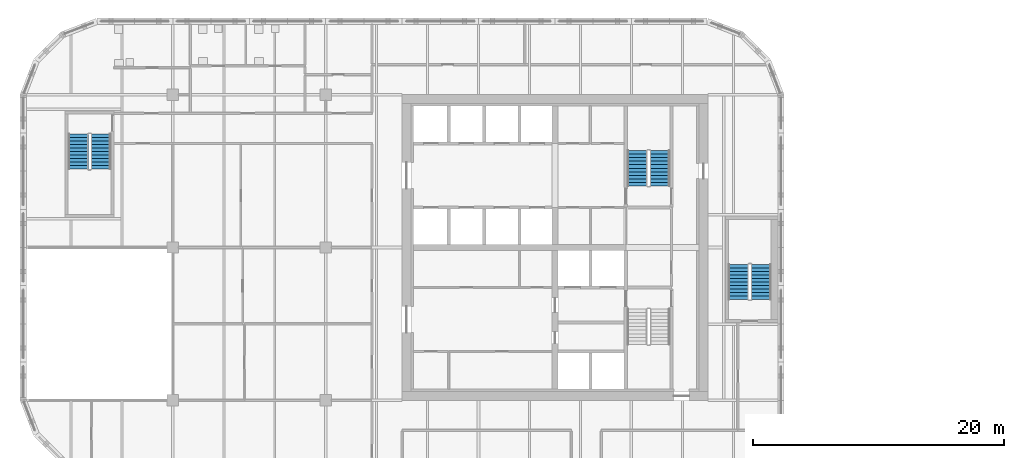
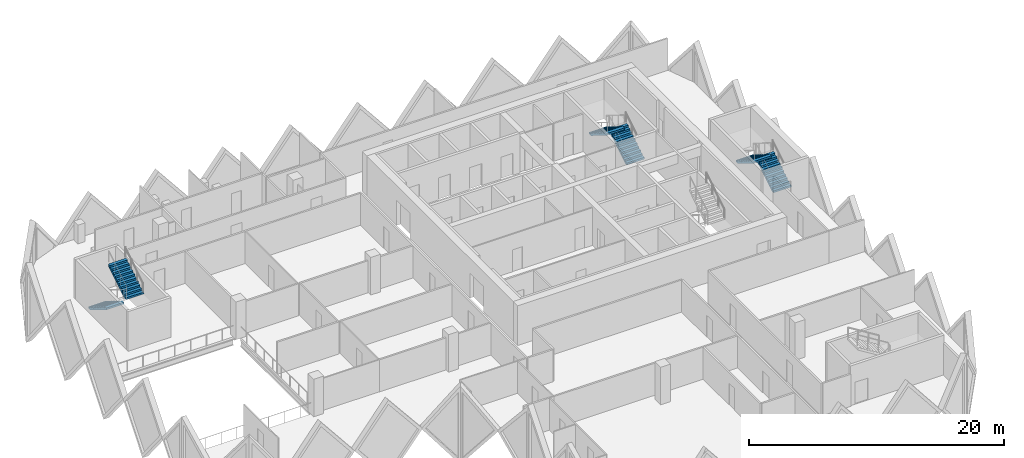
# One storey, part 11 of 13: 6 stair flights, 3 elements without a shape of their own.
"""IFC4 building model written with IfcOpenShell, lengths in metres."""

from ifc_helpers import new_model, si_unit, direction, frame, origin, place, context, subcontext, project, spatial, polyline, outline, extrude, material, type_object, element, aggregate, save


model = new_model("IFC4")

# Units and contexts
model_context = context("Model", 3, precision=1e-05, world=origin(), true_north=direction((0.0, 1.0)))
body_context = subcontext(model_context, "Body", "Model", "MODEL_VIEW")
ifc_project = project(units=[si_unit("LENGTHUNIT", "METRE"), si_unit("AREAUNIT", "SQUARE_METRE"), si_unit("VOLUMEUNIT", "CUBIC_METRE"), si_unit("PLANEANGLEUNIT", "RADIAN"), si_unit("MASSUNIT", "GRAM", prefix="KILO")], contexts=[model_context])

# Site, building, storey
site_placement = place(None, origin())
site = spatial("IfcSite", under=ifc_project, at=site_placement, CompositionType="ELEMENT")
building_placement = place(site_placement, origin())
building = spatial("IfcBuilding", under=site, at=building_placement, Name="Tessera Gate Towers", CompositionType="ELEMENT")
storey_placement = place(building_placement, frame((0.0, 0.0, 116.39990234375)))
storey = spatial("IfcBuildingStorey", under=building, at=storey_placement, Name="L28", CompositionType="ELEMENT", Elevation=116.39990234375)

# Stair, stair flights
ifc_material_1 = material(Name="Concrete C40/50", Category="concrete")
stair_type_1 = type_object("IfcStairType", Name="EXIT STAIR ST2 1600", PredefinedType="HALF_TURN_STAIR", material=ifc_material_1)
stair_1_placement = place(storey_placement, origin())
stair_1 = element("IfcStair", 1, at=stair_1_placement, inside=storey, type_object=stair_type_1, Name="L28 Protected Exit Stair ST2", PredefinedType="HALF_TURN_STAIR")
ifc_material_2 = material(Name="Concrete C40/50", Category="concrete")
stair_flight_type_1 = type_object("IfcStairFlightType", Name="EXIT STAIR FLIGHT ST2 1600", PredefinedType="STRAIGHT", material=ifc_material_2)
stair_flight_1_placement = place(storey_placement, frame((51.074951171875, 41.52490234375, 0.0), z_axis=(0.0, 0.0, 1.0), x_axis=(0.0, 1.0, 0.0)))
stair_flight_1 = element("IfcStairFlight", 2, at=stair_flight_1_placement, type_object=stair_flight_type_1, Name="ST2 flight 1", NumberOfRisers=11, NumberOfTreads=10, PredefinedType="STRAIGHT", RiserHeight=0.172727273, TreadLength=0.28, context=body_context, shape_type="SweptSolid", body=[
    extrude(outline(polyline([(0.0, 0.0), (0.0, 0.172607421875), (0.280029296875, 0.172607421875), (0.280029296875, 0.345458984375), (0.56005859375, 0.345458984375), (0.56005859375, 0.51806640625), (0.840087890625, 0.51806640625), (0.840087890625, 0.69091796875), (1.1201171875, 0.69091796875), (1.1201171875, 0.863525390625), (1.39990234375, 0.863525390625), (1.39990234375, 1.036376953125), (1.679931640625, 1.036376953125), (1.679931640625, 1.208984375), (1.9599609375, 1.208984375), (1.9599609375, 1.3818359375), (2.239990234375, 1.3818359375), (2.239990234375, 1.554443359375), (2.52001953125, 1.554443359375), (2.52001953125, 1.727294921875), (2.800048828125, 1.727294921875), (2.800048828125, 1.89990234375), (2.800048828125, 1.551025390625), (0.285400390625, 0.0), (0.0, 0.0)])), frame((0.0, 0.800048828125, 0.0), z_axis=(0.0, -1.0, 0.0), x_axis=(1.0, 0.0, 0.0)), (0.0, 0.0, 1.0), 1.60009765625),
])
stair_flight_2_placement = place(storey_placement, frame((49.27490234375, 44.324951171875, 1.900146484375), z_axis=(0.0, 0.0, 1.0), x_axis=(0.0, -1.0, 0.0)))
stair_flight_2 = element("IfcStairFlight", 3, at=stair_flight_2_placement, type_object=stair_flight_type_1, Name="ST2 flight 2", NumberOfRisers=11, NumberOfTreads=10, PredefinedType="STRAIGHT", RiserHeight=0.172727273, TreadLength=0.28, context=body_context, shape_type="SweptSolid", body=[
    extrude(outline(polyline([(0.0, 0.0), (0.0, 0.172607421875), (0.280029296875, 0.172607421875), (0.280029296875, 0.345458984375), (0.56005859375, 0.345458984375), (0.56005859375, 0.51806640625), (0.840087890625, 0.51806640625), (0.840087890625, 0.69091796875), (1.1201171875, 0.69091796875), (1.1201171875, 0.863525390625), (1.39990234375, 0.863525390625), (1.39990234375, 1.036376953125), (1.679931640625, 1.036376953125), (1.679931640625, 1.208984375), (1.9599609375, 1.208984375), (1.9599609375, 1.3818359375), (2.239990234375, 1.3818359375), (2.239990234375, 1.554443359375), (2.52001953125, 1.554443359375), (2.52001953125, 1.727294921875), (2.800048828125, 1.727294921875), (2.800048828125, 1.89990234375), (2.800048828125, 1.551025390625), (0.285400390625, 0.0), (0.0, 0.0)])), frame((0.0, 0.800048828125, 0.0), z_axis=(0.0, -1.0, 0.0), x_axis=(1.0, 0.0, 0.0)), (0.0, 0.0, 1.0), 1.60009765625),
])
aggregate(stair_1, [stair_flight_1, stair_flight_2])

ifc_material_3 = material(Name="Concrete C40/50", Category="concrete")
stair_type_2 = type_object("IfcStairType", Name="EXIT STAIR ST3 1600", PredefinedType="HALF_TURN_STAIR", material=ifc_material_3)
stair_2_placement = place(storey_placement, origin())
stair_2 = element("IfcStair", 4, at=stair_2_placement, inside=storey, type_object=stair_type_2, Name="L28 West Exit Stair ST3", PredefinedType="HALF_TURN_STAIR")
ifc_material_4 = material(Name="Concrete C40/50", Category="concrete")
stair_flight_type_2 = type_object("IfcStairFlightType", Name="EXIT STAIR FLIGHT ST3 1600", PredefinedType="STRAIGHT", material=ifc_material_4)
stair_flight_3_placement = place(storey_placement, frame((4.64990234375, 45.64990234375, 0.0), z_axis=(0.0, 0.0, 1.0), x_axis=(0.0, -1.0, 0.0)))
stair_flight_3 = element("IfcStairFlight", 5, at=stair_flight_3_placement, type_object=stair_flight_type_2, Name="ST3 flight 1", NumberOfRisers=11, NumberOfTreads=10, PredefinedType="STRAIGHT", RiserHeight=0.172727273, TreadLength=0.28, context=body_context, shape_type="SweptSolid", body=[
    extrude(outline(polyline([(0.0, 0.0), (0.0, 0.172607421875), (0.280029296875, 0.172607421875), (0.280029296875, 0.345458984375), (0.56005859375, 0.345458984375), (0.56005859375, 0.51806640625), (0.840087890625, 0.51806640625), (0.840087890625, 0.69091796875), (1.1201171875, 0.69091796875), (1.1201171875, 0.863525390625), (1.39990234375, 0.863525390625), (1.39990234375, 1.036376953125), (1.679931640625, 1.036376953125), (1.679931640625, 1.208984375), (1.9599609375, 1.208984375), (1.9599609375, 1.3818359375), (2.239990234375, 1.3818359375), (2.239990234375, 1.554443359375), (2.52001953125, 1.554443359375), (2.52001953125, 1.727294921875), (2.800048828125, 1.727294921875), (2.800048828125, 1.89990234375), (2.800048828125, 1.551025390625), (0.285400390625, 0.0), (0.0, 0.0)])), frame((0.0, 0.800048828125, 0.0), z_axis=(0.0, -1.0, 0.0), x_axis=(1.0, 0.0, 0.0)), (0.0, 0.0, 1.0), 1.60009765625),
])
stair_flight_4_placement = place(storey_placement, frame((6.449951171875, 42.85009765625, 1.900146484375), z_axis=(0.0, 0.0, 1.0), x_axis=(0.0, 1.0, 0.0)))
stair_flight_4 = element("IfcStairFlight", 6, at=stair_flight_4_placement, type_object=stair_flight_type_2, Name="ST3 flight 2", NumberOfRisers=11, NumberOfTreads=10, PredefinedType="STRAIGHT", RiserHeight=0.172727273, TreadLength=0.28, context=body_context, shape_type="SweptSolid", body=[
    extrude(outline(polyline([(0.0, 0.0), (0.0, 0.172607421875), (0.280029296875, 0.172607421875), (0.280029296875, 0.345458984375), (0.56005859375, 0.345458984375), (0.56005859375, 0.51806640625), (0.840087890625, 0.51806640625), (0.840087890625, 0.69091796875), (1.1201171875, 0.69091796875), (1.1201171875, 0.863525390625), (1.39990234375, 0.863525390625), (1.39990234375, 1.036376953125), (1.679931640625, 1.036376953125), (1.679931640625, 1.208984375), (1.9599609375, 1.208984375), (1.9599609375, 1.3818359375), (2.239990234375, 1.3818359375), (2.239990234375, 1.554443359375), (2.52001953125, 1.554443359375), (2.52001953125, 1.727294921875), (2.800048828125, 1.727294921875), (2.800048828125, 1.89990234375), (2.800048828125, 1.551025390625), (0.285400390625, 0.0), (0.0, 0.0)])), frame((0.0, 0.800048828125, 0.0), z_axis=(0.0, -1.0, 0.0), x_axis=(1.0, 0.0, 0.0)), (0.0, 0.0, 1.0), 1.60009765625),
])
aggregate(stair_2, [stair_flight_3, stair_flight_4])

ifc_material_5 = material(Name="Concrete C40/50", Category="concrete")
stair_type_3 = type_object("IfcStairType", Name="EXIT STAIR ST5 1600", PredefinedType="HALF_TURN_STAIR", material=ifc_material_5)
stair_3_placement = place(storey_placement, origin())
stair_3 = element("IfcStair", 7, at=stair_3_placement, inside=storey, type_object=stair_type_3, Name="L28 East Exit Stair ST5", PredefinedType="HALF_TURN_STAIR")
ifc_material_6 = material(Name="Concrete C40/50", Category="concrete")
stair_flight_type_3 = type_object("IfcStairFlightType", Name="EXIT STAIR FLIGHT ST5 1600", PredefinedType="STRAIGHT", material=ifc_material_6)
stair_flight_5_placement = place(storey_placement, frame((59.14990234375, 32.449951171875, 0.0), z_axis=(0.0, 0.0, 1.0), x_axis=(0.0, 1.0, 0.0)))
stair_flight_5 = element("IfcStairFlight", 8, at=stair_flight_5_placement, type_object=stair_flight_type_3, Name="ST5 flight 1", NumberOfRisers=11, NumberOfTreads=10, PredefinedType="STRAIGHT", RiserHeight=0.172727273, TreadLength=0.28, context=body_context, shape_type="SweptSolid", body=[
    extrude(outline(polyline([(0.0, 0.0), (0.0, 0.172607421875), (0.280029296875, 0.172607421875), (0.280029296875, 0.345458984375), (0.56005859375, 0.345458984375), (0.56005859375, 0.51806640625), (0.840087890625, 0.51806640625), (0.840087890625, 0.69091796875), (1.1201171875, 0.69091796875), (1.1201171875, 0.863525390625), (1.39990234375, 0.863525390625), (1.39990234375, 1.036376953125), (1.679931640625, 1.036376953125), (1.679931640625, 1.208984375), (1.9599609375, 1.208984375), (1.9599609375, 1.3818359375), (2.239990234375, 1.3818359375), (2.239990234375, 1.554443359375), (2.52001953125, 1.554443359375), (2.52001953125, 1.727294921875), (2.800048828125, 1.727294921875), (2.800048828125, 1.89990234375), (2.800048828125, 1.551025390625), (0.285400390625, 0.0), (0.0, 0.0)])), frame((0.0, 0.800048828125, 0.0), z_axis=(0.0, -1.0, 0.0), x_axis=(1.0, 0.0, 0.0)), (0.0, 0.0, 1.0), 1.60009765625),
])
stair_flight_6_placement = place(storey_placement, frame((57.35009765625, 35.25, 1.900146484375), z_axis=(0.0, 0.0, 1.0), x_axis=(0.0, -1.0, 0.0)))
stair_flight_6 = element("IfcStairFlight", 9, at=stair_flight_6_placement, type_object=stair_flight_type_3, Name="ST5 flight 2", NumberOfRisers=11, NumberOfTreads=10, PredefinedType="STRAIGHT", RiserHeight=0.172727273, TreadLength=0.28, context=body_context, shape_type="SweptSolid", body=[
    extrude(outline(polyline([(0.0, 0.0), (0.0, 0.172607421875), (0.280029296875, 0.172607421875), (0.280029296875, 0.345458984375), (0.56005859375, 0.345458984375), (0.56005859375, 0.51806640625), (0.840087890625, 0.51806640625), (0.840087890625, 0.69091796875), (1.1201171875, 0.69091796875), (1.1201171875, 0.863525390625), (1.39990234375, 0.863525390625), (1.39990234375, 1.036376953125), (1.679931640625, 1.036376953125), (1.679931640625, 1.208984375), (1.9599609375, 1.208984375), (1.9599609375, 1.3818359375), (2.239990234375, 1.3818359375), (2.239990234375, 1.554443359375), (2.52001953125, 1.554443359375), (2.52001953125, 1.727294921875), (2.800048828125, 1.727294921875), (2.800048828125, 1.89990234375), (2.800048828125, 1.551025390625), (0.285400390625, 0.0), (0.0, 0.0)])), frame((0.0, 0.800048828125, 0.0), z_axis=(0.0, -1.0, 0.0), x_axis=(1.0, 0.0, 0.0)), (0.0, 0.0, 1.0), 1.60009765625),
])
aggregate(stair_3, [stair_flight_5, stair_flight_6])

save(model, "model.ifc")
